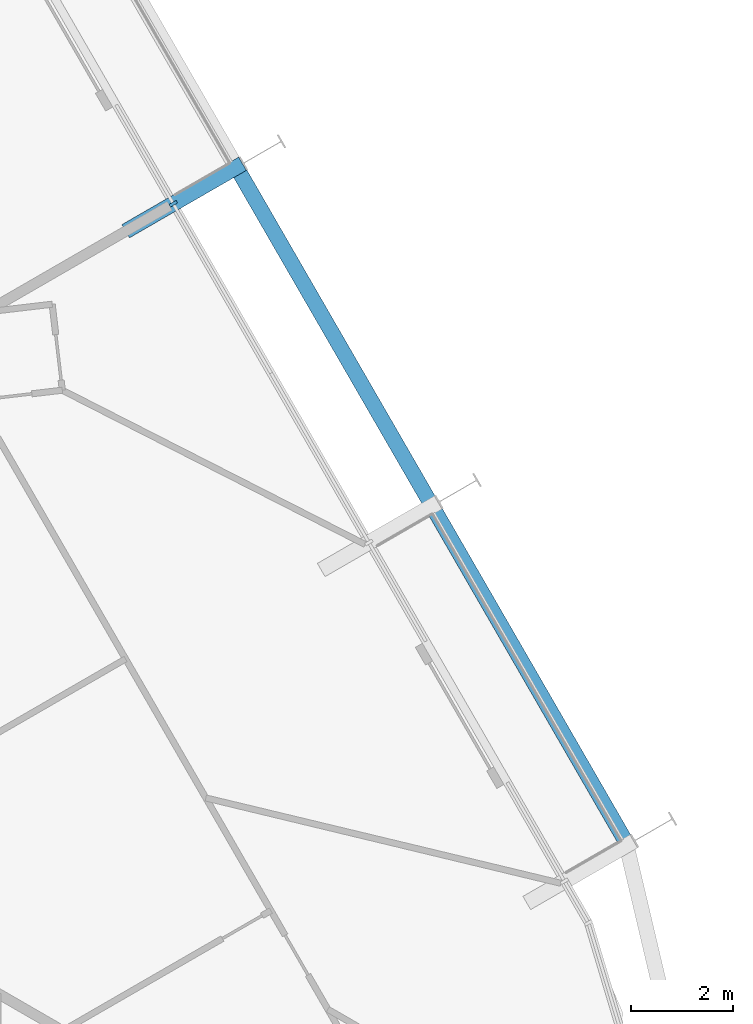
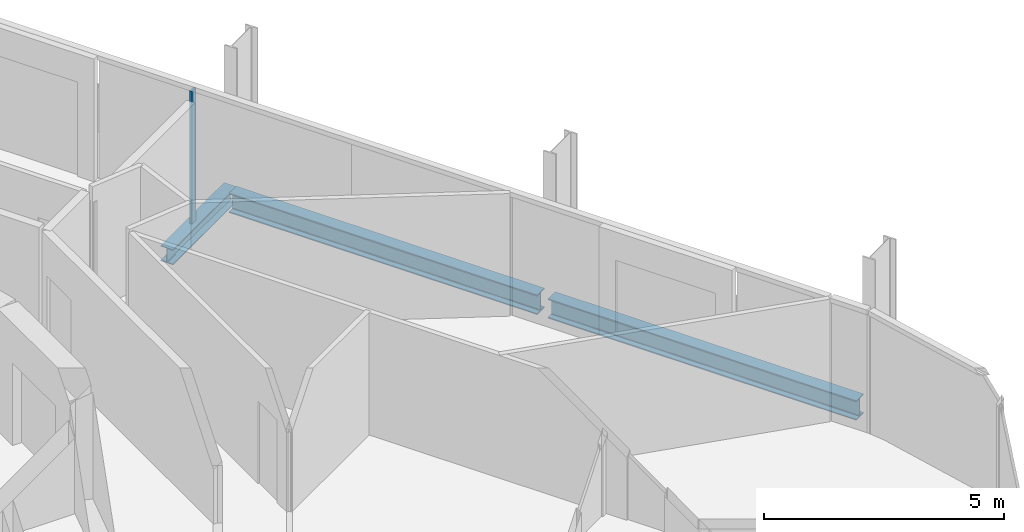
# One storey, part 8 of 21: 3 beams, 1 member, 1 element without a shape of its own.
"""IFC4 building model written with IfcOpenShell, lengths in metres."""

from ifc_helpers import new_model, si_unit, direction, frame, origin, origin_2d, place, context, subcontext, project, spatial, rectangle, i_section, extrude, material, layer, layer_set, material_profile, profile_set, type_object, element, aggregate, save


model = new_model("IFC4")

# Units and contexts
model_context = context("Model", 3, precision=1e-05, world=origin(), true_north=direction((0.0, 1.0)))
body_context = subcontext(model_context, "Body", "Model", "MODEL_VIEW")
ifc_project = project(units=[si_unit("LENGTHUNIT", "METRE"), si_unit("AREAUNIT", "SQUARE_METRE"), si_unit("VOLUMEUNIT", "CUBIC_METRE"), si_unit("PLANEANGLEUNIT", "RADIAN"), si_unit("MASSUNIT", "GRAM", prefix="KILO")], contexts=[model_context])

# Site, building, storey
site_placement = place(None, origin())
site = spatial("IfcSite", under=ifc_project, at=site_placement, CompositionType="ELEMENT")
building_placement = place(site_placement, origin())
building = spatial("IfcBuilding", under=site, at=building_placement, Name="Spindle Arch Residences", CompositionType="ELEMENT")
storey_placement = place(building_placement, frame((0.0, 0.0, 62.89990234375)))
storey = spatial("IfcBuildingStorey", under=building, at=storey_placement, Name="L14", CompositionType="ELEMENT", Elevation=62.89990234375)

# Curtain wall, member
ifc_material_1 = material(Name="Aluminium bronze unitised frame with tinted glass", Category="aluminium")
ifc_layer = layer(ifc_material_1, 0.159912109375)
ifc_layer_set = layer_set([ifc_layer], Name="CW-C typical residential unitised wall")
curtain_wall_type = type_object("IfcCurtainWallType", Name="CW-C typical residential unitised wall", PredefinedType="NOTDEFINED", material=ifc_layer_set)
curtain_wall_placement = place(storey_placement, origin())
curtain_wall = element("IfcCurtainWall", 1, at=curtain_wall_placement, inside=storey, type_object=curtain_wall_type, Name="CW-C L14 run 2", PredefinedType="NOTDEFINED")
ifc_material_2 = material(Name="Aluminium bronze anodised mullion", Category="aluminium")
ifc_material_profile_1 = material_profile(ifc_material_2, rectangle(XDim=0.159912109375, YDim=0.06005859375, at=origin_2d()), Name="MU 60x160")
ifc_profile_set_1 = profile_set([ifc_material_profile_1], Name="Aluminium bronze anodised mullion")
member_type = type_object("IfcMemberType", Name="Bronze mullion 60x160", PredefinedType="MULLION", material=ifc_profile_set_1)
member_placement = place(storey_placement, frame((18.9892578125, 6.529296875, -0.3798828125), z_axis=(0.0, 0.0, 1.0), x_axis=(-0.866025403784, -0.5, 0.0)))
member = element("IfcMember", 2, at=member_placement, type_object=member_type, Name="CW-C mullion 07", PredefinedType="MULLION", context=body_context, shape_type="SweptSolid", body=[
    extrude(rectangle(XDim=0.159912109375, YDim=0.06005859375, at=origin_2d()), origin(), (0.0, 0.0, 1.0), 3.3798828125),
])
aggregate(curtain_wall, [member])

# Beams
ifc_material_3 = material(Name="Steel S460ML, intumescent coating R 120", Category="steel")
ifc_material_profile_2 = material_profile(ifc_material_3, i_section(OverallWidth=0.300048828125, OverallDepth=0.5, WebThickness=0.014404296875, FlangeThickness=0.028076171875, FilletRadius=0.027099609375, at=origin_2d()), Name="HEB 500")
ifc_profile_set_2 = profile_set([ifc_material_profile_2], Name="Steel S460ML, intumescent coating R 120")
beam_type_1 = type_object("IfcBeamType", Name="Exoskeleton edge beam HEB 500", PredefinedType="BEAM", material=ifc_profile_set_2)
for number, where, z_axis, x_axis, name in (
    (3, (27.84521484375, -5.94384765625, -0.6298828125), (-0.49998923004, 0.866031621735, 0.0), (-0.866031621735, -0.49998923004, 0.0), "Exoskeleton edge beam 6"),
    (4, (24.00537109375, 0.707275390625, -0.6298828125), (-0.49998923004, 0.866031621735, 0.0), (-0.866031621735, -0.49998923004, 0.0), "Exoskeleton edge beam 7"),
):
    element("IfcBeam", number, at=place(storey_placement, frame(where, z_axis=z_axis, x_axis=x_axis)), inside=storey, type_object=beam_type_1, Name=name, PredefinedType="BEAM", context=body_context, shape_type="SweptSolid", body=[
        extrude(i_section(OverallWidth=0.300048828125, OverallDepth=0.5, WebThickness=0.014404296875, FlangeThickness=0.028076171875, FilletRadius=0.027099609375, at=origin_2d()), origin(), (0.0, 0.0, 1.0), 7.420166015625),
    ])
ifc_material_4 = material(Name="Steel S460ML, intumescent coating R 120", Category="steel")
ifc_material_profile_3 = material_profile(ifc_material_4, i_section(OverallWidth=0.300048828125, OverallDepth=0.389892578125, WebThickness=0.010986328125, FlangeThickness=0.01904296875, FilletRadius=0.027099609375, at=origin_2d()), Name="HEA 400")
ifc_profile_set_3 = profile_set([ifc_material_profile_3], Name="Steel S460ML, intumescent coating R 120")
beam_type_2 = type_object("IfcBeamType", Name="Floor outrigger HEA 400", PredefinedType="BEAM", material=ifc_profile_set_3)
beam_placement = place(storey_placement, frame((20.34912109375, 7.314453125, -0.574951171875), z_axis=(-0.866052124492, -0.499953715521, 0.0), x_axis=(0.499953715521, -0.866052124492, 0.0)))
element("IfcBeam", 5, at=beam_placement, inside=storey, type_object=beam_type_2, Name="Floor outrigger 8", PredefinedType="BEAM", context=body_context, shape_type="SweptSolid", body=[
    extrude(i_section(OverallWidth=0.300048828125, OverallDepth=0.389892578125, WebThickness=0.010986328125, FlangeThickness=0.01904296875, FilletRadius=0.027099609375, at=origin_2d()), origin(), (0.0, 0.0, 1.0), 2.650146484375),
])

save(model, "model.ifc")
